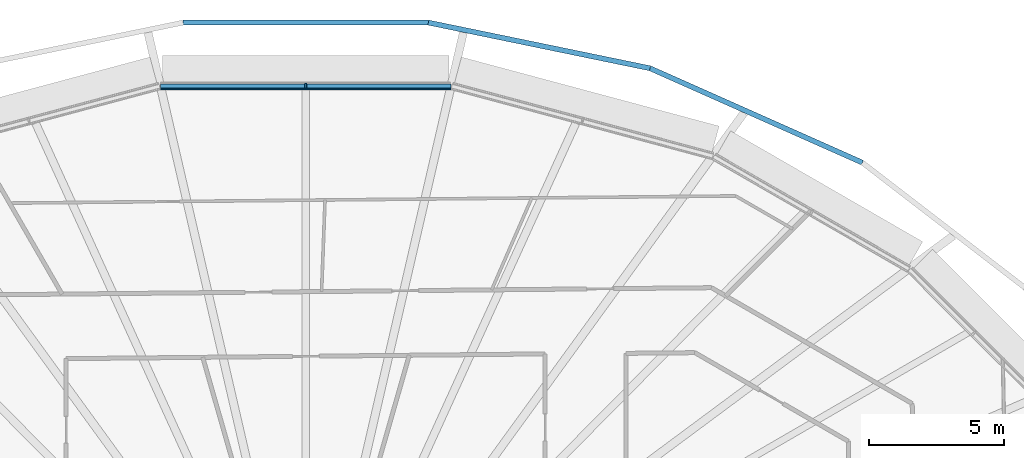
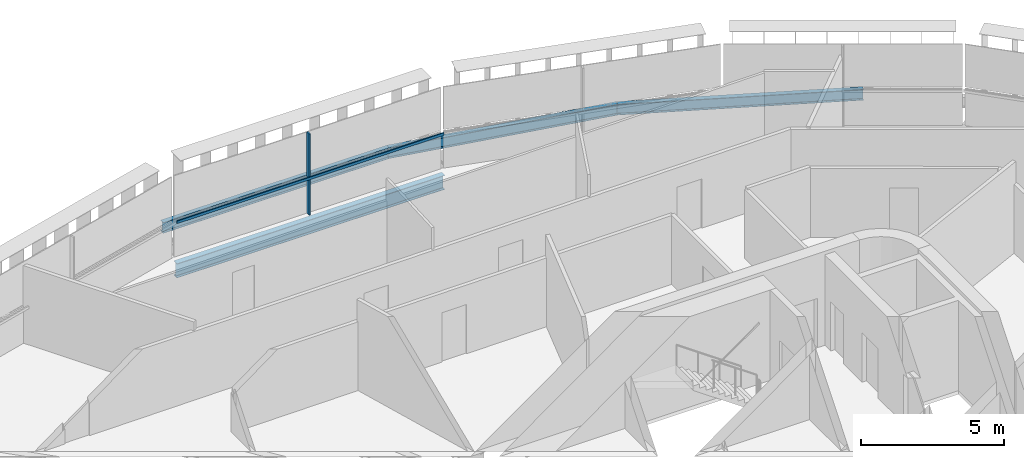
# One storey, part 8 of 23: 4 beams, 2 members, 1 element without a shape of its own.
"""IFC4 building model written with IfcOpenShell, lengths in metres."""

import ifcopenshell
import ifcopenshell.guid

model = None  # the IFC model being written
_history = None  # IfcOwnerHistory: only IFC2X3 demands one
_inside = {}  # id of a spatial element -> (the spatial element, [elements in it])
_under = {}  # id of a project, library or spatial element -> (it, [spatial elements below it])
_declared = {}  # id of a project -> (the project, [libraries it declares])
_typed = {}  # id of a type object -> (the type object, [elements of that type])
_made_of = {}  # id of a material, layer set ... -> (it, [elements and type objects made of it])


def new_model(schema):
    """Start an empty IFC model of exactly this schema.

    Asked for "IFC4X3", IfcOpenShell would pick the latest addendum, in which some entities
    have other attributes; the version numbers below select the first issue.
    IFC2X3 requires an IfcOwnerHistory on every rooted entity: one is made here for all.
    """
    global model, _history
    if schema == "IFC4X3":
        model = ifcopenshell.file(schema_version=(4, 3, 0, 0))
    else:
        model = ifcopenshell.file(schema=schema)
    _inside.clear()
    _under.clear()
    _declared.clear()
    _typed.clear()
    _made_of.clear()
    _history = None
    if model.schema == "IFC2X3":
        org = make("IfcOrganization", Name="unknown")
        user = make(
            "IfcPersonAndOrganization",
            ThePerson=make("IfcPerson", FamilyName="unknown"),
            TheOrganization=org,
        )
        app = make(
            "IfcApplication",
            ApplicationDeveloper=org,
            Version="unknown",
            ApplicationFullName="unknown",
            ApplicationIdentifier="unknown",
        )
        _history = make(
            "IfcOwnerHistory",
            OwningUser=user,
            OwningApplication=app,
            ChangeAction="ADDED",
            CreationDate=0,
        )
    return model


def make(cls, **values):
    """One entity of the class cls with the attributes given. An attribute that is None is left unset."""
    return model.create_entity(
        cls, **{name: value for name, value in values.items() if value is not None}
    )


def rooted(cls, **values):
    """An entity with a GlobalId (a new one), such as an element, a storey or a relation."""
    return make(cls, GlobalId=ifcopenshell.guid.new(), OwnerHistory=_history, **values)


def si_unit(unit_type, name, prefix=None):
    """IfcSIUnit, for example si_unit("LENGTHUNIT", "METRE", prefix="MILLI")."""
    return make("IfcSIUnit", UnitType=unit_type, Prefix=prefix, Name=name)


def assignment(units):
    """IfcUnitAssignment: the units of a project."""
    return None if units is None else make("IfcUnitAssignment", Units=units)


def point(xyz):
    """IfcCartesianPoint."""
    return None if xyz is None else make("IfcCartesianPoint", Coordinates=xyz)


def direction(xyz):
    """IfcDirection."""
    return None if xyz is None else make("IfcDirection", DirectionRatios=xyz)


def frame(location, z_axis=None, x_axis=None):
    """IfcAxis2Placement3D, a coordinate frame: its origin and axes. An axis left out is left unset."""
    return make(
        "IfcAxis2Placement3D",
        Location=point(location),
        Axis=direction(z_axis),
        RefDirection=direction(x_axis),
    )


def frame_2d(location, x_axis=None):
    """IfcAxis2Placement2D, a coordinate frame in the plane: its origin and x axis."""
    return make(
        "IfcAxis2Placement2D", Location=point(location), RefDirection=direction(x_axis)
    )


def origin():
    """The frame at (0, 0, 0) with its axes left unset."""
    return frame((0.0, 0.0, 0.0))


def origin_2d():
    """The frame at (0, 0) in the plane with its x axis left unset."""
    return frame_2d((0.0, 0.0))


def place(relative_to, where):
    """IfcLocalPlacement: puts the frame where relative to a parent placement (None: the world)."""
    return make(
        "IfcLocalPlacement", PlacementRelTo=relative_to, RelativePlacement=where
    )


def context(
    kind, dimensions, precision=None, world=None, true_north=None, identifier=None
):
    """IfcGeometricRepresentationContext, for example the 3D "Model" context."""
    return make(
        "IfcGeometricRepresentationContext",
        ContextIdentifier=identifier,
        ContextType=kind,
        CoordinateSpaceDimension=dimensions,
        Precision=precision,
        WorldCoordinateSystem=world,
        TrueNorth=true_north,
    )


def subcontext(parent, identifier, kind, view, scale=None):
    """IfcGeometricRepresentationSubContext, for example "Body" below "Model"."""
    return make(
        "IfcGeometricRepresentationSubContext",
        ContextIdentifier=identifier,
        ContextType=kind,
        ParentContext=parent,
        TargetScale=scale,
        TargetView=view,
    )


def project(units=None, contexts=None):
    """IfcProject with its units and contexts."""
    return rooted(
        "IfcProject",
        Name="project",
        RepresentationContexts=contexts,
        UnitsInContext=assignment(units),
    )


def spatial(cls, under=None, at=None, **own):
    """A site, building, storey or space (cls), placed at a placement, below another one or the project."""
    s = rooted(cls, ObjectPlacement=at, **own)
    if under is not None:
        _under.setdefault(under.id(), (under, []))[1].append(s)
    return s


def profile(cls, at=None, kind="AREA", **sizes):
    """A parametric profile (cls). Its sizes go by their IFC names, for example OverallWidth=200.0."""
    return make(cls, ProfileType=kind, Position=at, **sizes)


def rectangle(**sizes):
    """IfcRectangleProfileDef."""
    return profile("IfcRectangleProfileDef", **sizes)


def i_section(**sizes):
    """IfcIShapeProfileDef."""
    return profile("IfcIShapeProfileDef", **sizes)


def extrude(swept, where, along, depth):
    """IfcExtrudedAreaSolid: the profile swept, set in the frame where, extruded along a direction by depth."""
    return make(
        "IfcExtrudedAreaSolid",
        SweptArea=swept,
        Position=where,
        ExtrudedDirection=direction(along),
        Depth=depth,
    )


def shape(context_of_items, identifier, shape_type, items):
    """IfcShapeRepresentation: the items that make up one representation, for example the "Body"."""
    return make(
        "IfcShapeRepresentation",
        ContextOfItems=context_of_items,
        RepresentationIdentifier=identifier,
        RepresentationType=shape_type,
        Items=items,
    )


def material(Name=None, Category=None):
    """IfcMaterial."""
    return make("IfcMaterial", Name=Name, Category=Category)


def layer(
    of_material, thickness, ventilated=None, Name=None, Category=None, Priority=None
):
    """IfcMaterialLayer: one layer of a wall or slab, of a material (None: an air gap)."""
    return make(
        "IfcMaterialLayer",
        Material=of_material,
        LayerThickness=thickness,
        IsVentilated=ventilated,
        Name=Name,
        Category=Category,
        Priority=Priority,
    )


def layer_set(layers, Name=None):
    """IfcMaterialLayerSet."""
    return make("IfcMaterialLayerSet", MaterialLayers=layers, LayerSetName=Name)


def material_profile(
    of_material, cross_section, Name=None, Category=None, Priority=None
):
    """IfcMaterialProfile: a cross section and its material."""
    return make(
        "IfcMaterialProfile",
        Name=Name,
        Material=of_material,
        Profile=cross_section,
        Priority=Priority,
        Category=Category,
    )


def profile_set(profiles, Name=None, composite=None):
    """IfcMaterialProfileSet."""
    return make(
        "IfcMaterialProfileSet",
        Name=Name,
        MaterialProfiles=profiles,
        CompositeProfile=composite,
    )


def made_of(thing, what):
    """Note that an element or type object is made of a material, layer set ...; save() writes the relation."""
    if what is not None:
        _made_of.setdefault(what.id(), (what, []))[1].append(thing)
    return thing


def type_object(cls, material=None, **own):
    """A type object (cls), such as IfcWallType, which elements share."""
    return made_of(rooted(cls, **own), material)


def element(
    cls,
    number,
    at=None,
    inside=None,
    cuts=None,
    type_object=None,
    material=None,
    context=None,
    identifier="Body",
    shape_type=None,
    held_by="IfcProductDefinitionShape",
    body=None,
    shapes=None,
    **own,
):
    """One element of the class cls, such as IfcWall. Its Tag is "e" and its number.

    at: its placement. inside: the storey or other place that contains it. cuts: it is an
    opening in that element (IfcRelVoidsElement). A single representation is given by context,
    identifier, shape_type and body (its items); several are given by shapes. held_by: the class
    of the entity that holds the representations. save() writes the other relations.
    """
    e = rooted(cls, Tag="e%d" % number, ObjectPlacement=at, **own)
    if body is not None:
        shapes = [shape(context, identifier, shape_type, body)]
    if shapes is not None:
        e.Representation = make(held_by, Representations=shapes)
    if inside is not None:
        _inside.setdefault(inside.id(), (inside, []))[1].append(e)
    if cuts is not None:
        rooted(
            "IfcRelVoidsElement", RelatingBuildingElement=cuts, RelatedOpeningElement=e
        )
    if type_object is not None:
        _typed.setdefault(type_object.id(), (type_object, []))[1].append(e)
    return made_of(e, material)


def aggregate(whole, parts):
    """IfcRelAggregates: a whole, such as a stair, and the parts it consists of."""
    return rooted("IfcRelAggregates", RelatingObject=whole, RelatedObjects=parts)


def save(model, path):
    """Write the relations noted so far, then the file.

    IfcRelAggregates (storeys below a building ...), IfcRelContainedInSpatialStructure (elements
    in a storey), IfcRelDefinesByType, IfcRelAssociatesMaterial and IfcRelDeclares: one each for
    every whole, place, type object, material and project.
    """
    for whole, parts in _under.values():
        aggregate(whole, parts)
    for where, things in _inside.values():
        rooted(
            "IfcRelContainedInSpatialStructure",
            RelatedElements=things,
            RelatingStructure=where,
        )
    for kind, things in _typed.values():
        rooted("IfcRelDefinesByType", RelatedObjects=things, RelatingType=kind)
    for what, things in _made_of.values():
        rooted("IfcRelAssociatesMaterial", RelatedObjects=things, RelatingMaterial=what)
    for by, libraries in _declared.values():
        rooted("IfcRelDeclares", RelatingContext=by, RelatedDefinitions=libraries)
    model.write(path)


model = new_model("IFC4")

# Units and contexts
model_context = context("Model", 3, precision=1e-05, world=origin(), true_north=direction((0.0, 1.0)))
body_context = subcontext(model_context, "Body", "Model", "MODEL_VIEW")
ifc_project = project(units=[si_unit("LENGTHUNIT", "METRE"), si_unit("AREAUNIT", "SQUARE_METRE"), si_unit("VOLUMEUNIT", "CUBIC_METRE"), si_unit("PLANEANGLEUNIT", "RADIAN"), si_unit("MASSUNIT", "GRAM", prefix="KILO")], contexts=[model_context])

# Site, building, storey
site_placement = place(None, origin())
site = spatial("IfcSite", under=ifc_project, at=site_placement, CompositionType="ELEMENT")
building_placement = place(site_placement, origin())
building = spatial("IfcBuilding", under=site, at=building_placement, Name="Sahrelin Media Tower", CompositionType="ELEMENT")
storey_placement = place(building_placement, frame((0.0, 0.0, 157.60009765625)))
storey = spatial("IfcBuildingStorey", under=building, at=storey_placement, Name="L32", CompositionType="ELEMENT", Elevation=157.60009765625)

# Beam
ifc_material_1 = material(Name="Steel S355", Category="steel")
ifc_material_profile_1 = material_profile(ifc_material_1, i_section(OverallWidth=0.2275390625, OverallDepth=0.6025390625, WebThickness=0.010498046875, FlangeThickness=0.014892578125, FilletRadius=0.0126953125, at=origin_2d()), Name="UB 610x229x101")
ifc_profile_set_1 = profile_set([ifc_material_profile_1], Name="Steel S355")
beam_type_1 = type_object("IfcBeamType", Name="Edge beam EB7", PredefinedType="BEAM", material=ifc_profile_set_1)
beam_1_placement = place(storey_placement, frame((-5.393798828125, 23.38232421875, -0.451416015625), z_axis=(1.0, 0.0, 0.0), x_axis=(0.0, 1.0, 0.0)))
element("IfcBeam", 1, at=beam_1_placement, inside=storey, type_object=beam_type_1, Name="Edge beam L32-19", PredefinedType="BEAM", context=body_context, shape_type="SweptSolid", body=[
    extrude(i_section(OverallWidth=0.2275390625, OverallDepth=0.6025390625, WebThickness=0.010498046875, FlangeThickness=0.014892578125, FilletRadius=0.0126953125, at=origin_2d()), origin(), (0.0, 0.0, 1.0), 10.78759765625),
])

# Curtain wall, member
ifc_material_2 = material(Name="Champagne anodised aluminium 6063-T6", Category="aluminium")
ifc_layer = layer(ifc_material_2, 0.14990234375)
ifc_layer_set = layer_set([ifc_layer], Name="Tower ribbon curtain wall")
curtain_wall_type = type_object("IfcCurtainWallType", Name="Tower ribbon curtain wall", PredefinedType="NOTDEFINED", material=ifc_layer_set)
curtain_wall_placement = place(storey_placement, frame((0.0, 23.532470703125, 0.0), z_axis=(0.0, 0.0, 1.0), x_axis=(1.0, 0.0, 0.0)))
curtain_wall = element("IfcCurtainWall", 2, at=curtain_wall_placement, inside=storey, type_object=curtain_wall_type, Name="L32:CW:L32-06", PredefinedType="NOTDEFINED")
ifc_material_profile_2 = material_profile(ifc_material_2, rectangle(XDim=0.06005859375, YDim=0.175048828125, at=origin_2d()), Name="Mullion 60x175")
ifc_profile_set_2 = profile_set([ifc_material_profile_2], Name="Champagne anodised aluminium 6063-T6")
member_type_1 = type_object("IfcMemberType", Name="Mullion 60x175 CW1B", PredefinedType="MULLION", material=ifc_profile_set_2)
member_1_placement = place(storey_placement, frame((0.0, 23.4248046875, 0.0), z_axis=(0.0, 0.0, 1.0), x_axis=(-1.0, 0.0, 0.0)))
member_1 = element("IfcMember", 3, at=member_1_placement, type_object=member_type_1, Name="L32:CWM:L32-06", PredefinedType="MULLION", context=body_context, shape_type="SweptSolid", body=[
    extrude(rectangle(XDim=0.06005859375, YDim=0.175048828125, at=origin_2d()), origin(), (0.0, 0.0, 1.0), 3.448486328125),
])

# Beams
ifc_material_profile_3 = material_profile(ifc_material_1, i_section(OverallWidth=0.1904296875, OverallDepth=0.45703125, WebThickness=0.009033203125, FlangeThickness=0.014404296875, FilletRadius=0.01025390625, at=origin_2d()), Name="UB 457x191x74")
ifc_profile_set_3 = profile_set([ifc_material_profile_3], Name="Steel S355")
beam_type_2 = type_object("IfcBeamType", Name="Tie chord TC5", PredefinedType="BEAM", material=ifc_profile_set_3)
beam_2_placement = place(storey_placement, frame((20.688232421875, 20.567138671875, -0.378662109375), z_axis=(-0.913840692813, 0.406072885279, 0.0), x_axis=(-0.406072885279, -0.913840692813, 0.0)))
element("IfcBeam", 4, at=beam_2_placement, inside=storey, type_object=beam_type_2, Name="Tie chord L32-04", PredefinedType="BEAM", context=body_context, shape_type="SweptSolid", body=[
    extrude(i_section(OverallWidth=0.1904296875, OverallDepth=0.45703125, WebThickness=0.009033203125, FlangeThickness=0.014404296875, FilletRadius=0.01025390625, at=origin_2d()), origin(), (0.0, 0.0, 1.0), 8.63525390625),
])
beam_3_placement = place(storey_placement, frame((12.796875, 24.07373046875, -0.378662109375), z_axis=(-0.979385685737, 0.201999204388, 0.0), x_axis=(-0.201999204388, -0.979385685737, 0.0)))
element("IfcBeam", 5, at=beam_3_placement, inside=storey, type_object=beam_type_2, Name="Tie chord L32-05", PredefinedType="BEAM", context=body_context, shape_type="SweptSolid", body=[
    extrude(i_section(OverallWidth=0.1904296875, OverallDepth=0.45703125, WebThickness=0.009033203125, FlangeThickness=0.014404296875, FilletRadius=0.01025390625, at=origin_2d()), origin(), (0.0, 0.0, 1.0), 8.414306640625),
])
beam_4_placement = place(storey_placement, frame((4.555908203125, 25.7734375, -0.378662109375), z_axis=(-1.0, 0.0, 0.0), x_axis=(0.0, -1.0, 0.0)))
element("IfcBeam", 6, at=beam_4_placement, inside=storey, type_object=beam_type_2, Name="Tie chord L32-06", PredefinedType="BEAM", context=body_context, shape_type="SweptSolid", body=[
    extrude(i_section(OverallWidth=0.1904296875, OverallDepth=0.45703125, WebThickness=0.009033203125, FlangeThickness=0.014404296875, FilletRadius=0.01025390625, at=origin_2d()), origin(), (0.0, 0.0, 1.0), 9.11181640625),
])

# Member
ifc_material_profile_4 = material_profile(ifc_material_2, rectangle(XDim=0.050048828125, YDim=0.110107421875, at=origin_2d()), Name="Transom 50x110")
ifc_profile_set_4 = profile_set([ifc_material_profile_4], Name="Champagne anodised aluminium 6063-T6")
member_type_2 = type_object("IfcMemberType", Name="Transom 50x110 CW1B", PredefinedType="USERDEFINED", material=ifc_profile_set_4)
member_2_placement = place(storey_placement, frame((5.378173828125, 23.3125, 1.599853515625), z_axis=(-1.0, 0.0, 0.0), x_axis=(0.0, -1.0, 0.0)))
member_2 = element("IfcMember", 7, at=member_2_placement, type_object=member_type_2, Name="L32:CWT:L32-06", ObjectType="TRANSOM", PredefinedType="USERDEFINED", context=body_context, shape_type="SweptSolid", body=[
    extrude(rectangle(XDim=0.050048828125, YDim=0.110107421875, at=origin_2d()), origin(), (0.0, 0.0, 1.0), 10.75634765625),
])

aggregate(curtain_wall, [member_1, member_2])

save(model, "model.ifc")
